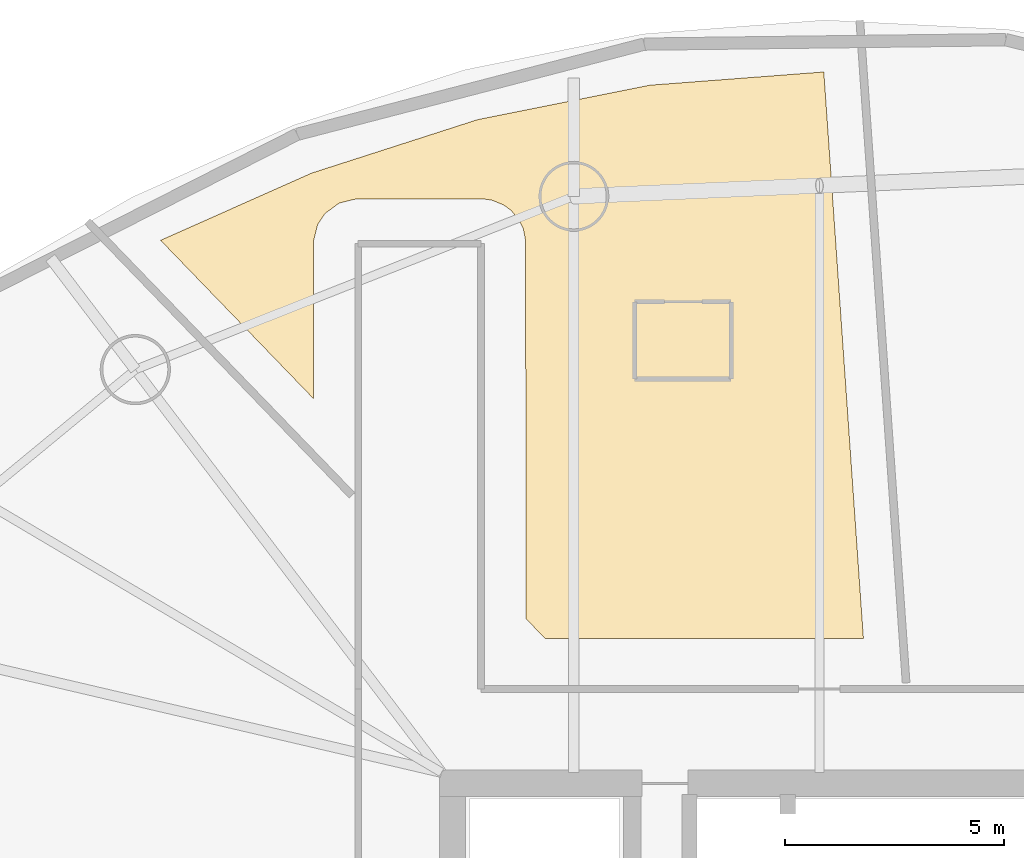
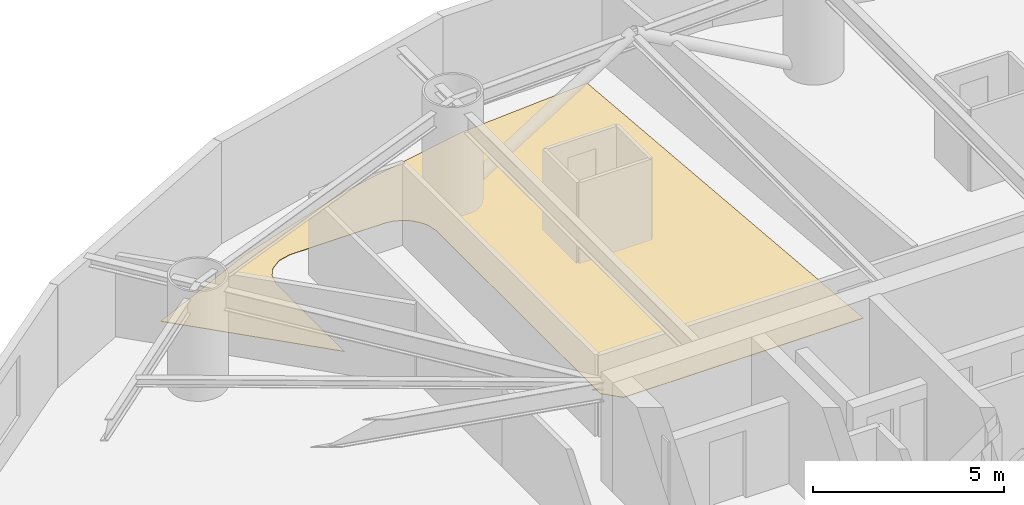
# One storey, part 19 of 19: 1 covering.
"""IFC4 building model written with IfcOpenShell, lengths in metres."""

from ifc_helpers import new_model, si_unit, direction, frame, origin, place, context, subcontext, project, spatial, polyline, outline, extrude, material, layer, layer_set, type_object, element, save


model = new_model("IFC4")

# Units and contexts
model_context = context("Model", 3, precision=1e-05, world=origin(), true_north=direction((0.0, 1.0)))
body_context = subcontext(model_context, "Body", "Model", "MODEL_VIEW")
ifc_project = project(units=[si_unit("LENGTHUNIT", "METRE"), si_unit("AREAUNIT", "SQUARE_METRE"), si_unit("VOLUMEUNIT", "CUBIC_METRE"), si_unit("PLANEANGLEUNIT", "RADIAN"), si_unit("MASSUNIT", "GRAM", prefix="KILO")], contexts=[model_context])

# Site, building, storey
site_placement = place(None, origin())
site = spatial("IfcSite", under=ifc_project, at=site_placement, CompositionType="ELEMENT")
building_placement = place(site_placement, origin())
building = spatial("IfcBuilding", under=site, at=building_placement, Name="Bramvorn Convention Spire", CompositionType="ELEMENT")
storey_placement = place(building_placement, frame((0.0, 0.0, 62.39990234375)))
storey = spatial("IfcBuildingStorey", under=building, at=storey_placement, Name="L13", CompositionType="ELEMENT", Elevation=62.39990234375)

# Covering
ifc_material = material(Name="Solution-Dyed Wool Broadloom Hospitality Carpet", Category="textile")
ifc_layer = layer(ifc_material, 0.014892578125)
ifc_layer_set = layer_set([ifc_layer], Name="Solution-Dyed Wool Broadloom Hospitality Carpet - FLR-CARPET-15")
covering_type = type_object("IfcCoveringType", Name="FLR-CARPET-15", PredefinedType="FLOORING", material=ifc_layer_set)
covering_placement = place(storey_placement, origin())
element("IfcCovering", 1, at=covering_placement, inside=storey, type_object=covering_type, Name="Hotel Suite 1303 wool broadloom carpet", PredefinedType="FLOORING", context=body_context, shape_type="SweptSolid", body=[
    extrude(outline(polyline([(23.830078125, 41.968994140625), (23.831787109375, 45.555908203125), (23.925537109375, 45.9306640625), (24.098388671875, 46.189208984375), (24.419189453125, 46.424560546875), (24.805908203125, 46.518798828125), (27.694091796875, 46.518798828125), (27.903564453125, 46.48779296875), (28.169189453125, 46.377685546875), (28.33935546875, 46.251708984375), (28.521728515625, 46.029296875), (28.6123046875, 45.837890625), (28.668212890625, 45.555908203125), (28.669921875, 36.95703125), (29.111328125, 36.5), (36.363525390625, 36.5), (35.460693359375, 49.411376953125), (31.494873046875, 49.109619140625), (27.57177734375, 48.32470703125), (23.7958984375, 47.10888671875), (20.347412109375, 45.575439453125), (23.830078125, 41.968994140625)])), origin(), (0.0, 0.0, 1.0), 0.01513671875),
])

save(model, "model.ifc")
